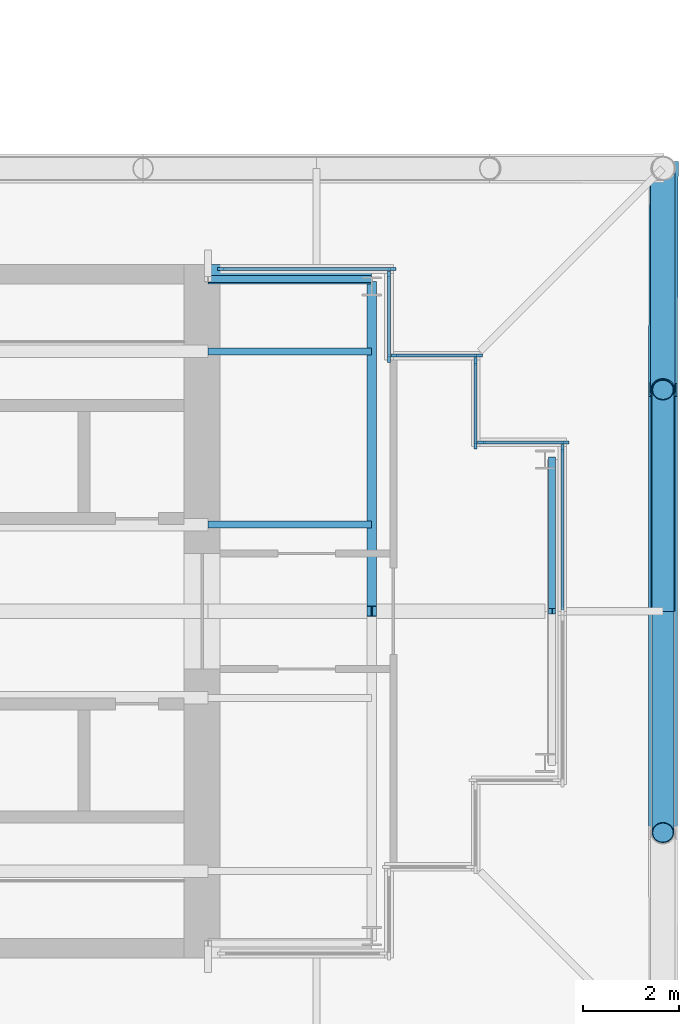
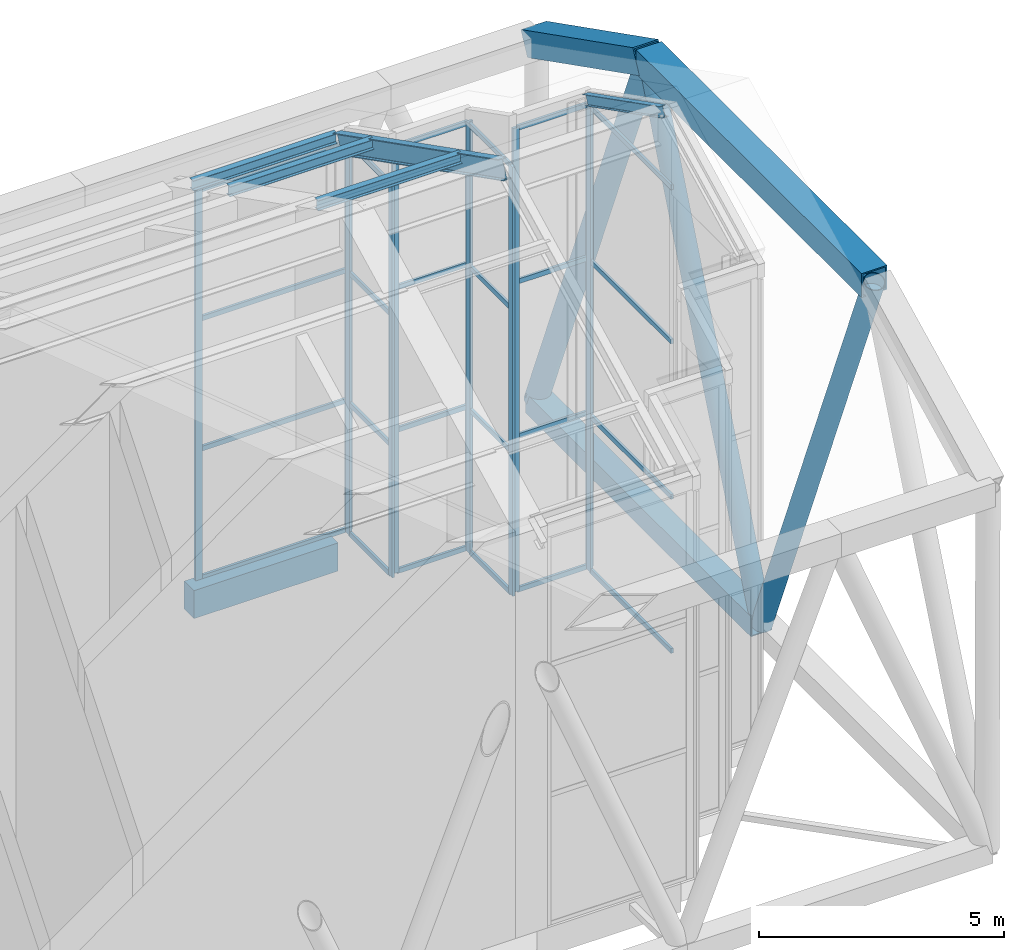
# One storey, part 11 of 25: 41 members, 6 beams, 6 elements without a shape of their own.
"""IFC4 building model written with IfcOpenShell, lengths in metres."""

from ifc_helpers import new_model, si_unit, direction, frame, origin, origin_2d, place, context, subcontext, project, spatial, rectangle, hollow_rectangle, hollow_circle, i_section, extrude, material, material_profile, profile_set, type_object, element, aggregate, save


model = new_model("IFC4")

# Units and contexts
model_context = context("Model", 3, precision=1e-05, world=origin(), true_north=direction((0.0, 1.0)))
body_context = subcontext(model_context, "Body", "Model", "MODEL_VIEW")
ifc_project = project(units=[si_unit("LENGTHUNIT", "METRE"), si_unit("AREAUNIT", "SQUARE_METRE"), si_unit("VOLUMEUNIT", "CUBIC_METRE"), si_unit("PLANEANGLEUNIT", "RADIAN"), si_unit("MASSUNIT", "GRAM", prefix="KILO")], contexts=[model_context])

# Site, building, storey
site_placement = place(None, origin())
site = spatial("IfcSite", under=ifc_project, at=site_placement, CompositionType="ELEMENT")
building_placement = place(site_placement, origin())
building = spatial("IfcBuilding", under=site, at=building_placement, Name="Fustian Cross Tower", CompositionType="ELEMENT")
storey_placement = place(building_placement, frame((0.0, 0.0, 247.5)))
storey = spatial("IfcBuildingStorey", under=building, at=storey_placement, Name="L77", CompositionType="ELEMENT", Elevation=247.5)

# Curtain wall, member
ifc_material_1 = material(Name="Glass", Category="glass")
curtain_wall_type = type_object("IfcCurtainWallType", Name="CW6 CURTAIN WALL", PredefinedType="NOTDEFINED", material=ifc_material_1)
curtain_wall_1_placement = place(storey_placement, origin())
curtain_wall_1 = element("IfcCurtainWall", 1, at=curtain_wall_1_placement, inside=storey, type_object=curtain_wall_type, Name="Curtain wall CW6", PredefinedType="NOTDEFINED")
ifc_material_2 = material(Name="Aluminium alloy 6063", Category="aluminium")
ifc_material_profile_1 = material_profile(ifc_material_2, rectangle(XDim=0.06005859375, YDim=0.159912109375, at=origin_2d()), Name="CW6 MULLION 60x160")
ifc_profile_set_1 = profile_set([ifc_material_profile_1], Name="Aluminium alloy 6063")
member_type_1 = type_object("IfcMemberType", Name="CW6 MULLION 60x160", PredefinedType="MULLION", material=ifc_profile_set_1)
member_1_placement = place(storey_placement, frame((28.7099609375, 3.389892578125, 0.0), z_axis=(0.0, 0.0, 1.0), x_axis=(-1.0, 0.0, 0.0)))
member_1 = element("IfcMember", 2, at=member_1_placement, type_object=member_type_1, Name="CW6 mullion 2", PredefinedType="MULLION", context=body_context, shape_type="SweptSolid", body=[
    extrude(rectangle(XDim=0.06005859375, YDim=0.159912109375, at=origin_2d()), origin(), (0.0, 0.0, 1.0), 11.6083984375),
])

# Curtain wall, members
curtain_wall_2_placement = place(storey_placement, origin())
curtain_wall_2 = element("IfcCurtainWall", 3, at=curtain_wall_2_placement, inside=storey, type_object=curtain_wall_type, Name="Curtain wall CW6", PredefinedType="NOTDEFINED")
member_2_placement = place(storey_placement, frame((28.77001953125, 3.510009765625, 0.0), z_axis=(0.0, 0.0, 1.0), x_axis=(0.0, -1.0, 0.0)))
member_2 = element("IfcMember", 4, at=member_2_placement, type_object=member_type_1, Name="CW6 mullion 1", PredefinedType="MULLION", context=body_context, shape_type="SweptSolid", body=[
    extrude(rectangle(XDim=0.06005859375, YDim=0.159912109375, at=origin_2d()), origin(), (0.0, 0.0, 1.0), 11.5625),
])
member_3_placement = place(storey_placement, frame((27.030029296875, 3.510009765625, 0.0), z_axis=(0.0, 0.0, 1.0), x_axis=(0.0, -1.0, 0.0)))
member_3 = element("IfcMember", 5, at=member_3_placement, type_object=member_type_1, Name="CW6 mullion 2", PredefinedType="MULLION", context=body_context, shape_type="SweptSolid", body=[
    extrude(rectangle(XDim=0.06005859375, YDim=0.159912109375, at=origin_2d()), origin(), (0.0, 0.0, 1.0), 11.5625),
])

curtain_wall_3_placement = place(storey_placement, origin())
curtain_wall_3 = element("IfcCurtainWall", 6, at=curtain_wall_3_placement, inside=storey, type_object=curtain_wall_type, Name="Curtain wall CW6", PredefinedType="NOTDEFINED")
member_4_placement = place(storey_placement, frame((26.909912109375, 3.449951171875, 0.0), z_axis=(0.0, 0.0, 1.0), x_axis=(-1.0, 0.0, 0.0)))
member_4 = element("IfcMember", 7, at=member_4_placement, type_object=member_type_1, Name="CW6 mullion 1", PredefinedType="MULLION", context=body_context, shape_type="SweptSolid", body=[
    extrude(rectangle(XDim=0.06005859375, YDim=0.159912109375, at=origin_2d()), origin(), (0.0, 0.0, 1.0), 10.691650390625),
])
member_5_placement = place(storey_placement, frame((26.909912109375, 5.18994140625, 0.0), z_axis=(0.0, 0.0, 1.0), x_axis=(-1.0, 0.0, 0.0)))
member_5 = element("IfcMember", 8, at=member_5_placement, type_object=member_type_1, Name="CW6 mullion 2", PredefinedType="MULLION", context=body_context, shape_type="SweptSolid", body=[
    extrude(rectangle(XDim=0.06005859375, YDim=0.159912109375, at=origin_2d()), origin(), (0.0, 0.0, 1.0), 10.691650390625),
])

curtain_wall_4_placement = place(storey_placement, origin())
curtain_wall_4 = element("IfcCurtainWall", 9, at=curtain_wall_4_placement, inside=storey, type_object=curtain_wall_type, Name="Curtain wall CW6", PredefinedType="NOTDEFINED")
member_6_placement = place(storey_placement, frame((26.969970703125, 5.31005859375, 0.0), z_axis=(0.0, 0.0, 1.0), x_axis=(0.0, -1.0, 0.0)))
member_6 = element("IfcMember", 10, at=member_6_placement, type_object=member_type_1, Name="CW6 mullion 1", PredefinedType="MULLION", context=body_context, shape_type="SweptSolid", body=[
    extrude(rectangle(XDim=0.06005859375, YDim=0.159912109375, at=origin_2d()), origin(), (0.0, 0.0, 1.0), 10.645751953125),
])
member_7_placement = place(storey_placement, frame((25.22998046875, 5.31005859375, 0.0), z_axis=(0.0, 0.0, 1.0), x_axis=(0.0, -1.0, 0.0)))
member_7 = element("IfcMember", 11, at=member_7_placement, type_object=member_type_1, Name="CW6 mullion 2", PredefinedType="MULLION", context=body_context, shape_type="SweptSolid", body=[
    extrude(rectangle(XDim=0.06005859375, YDim=0.159912109375, at=origin_2d()), origin(), (0.0, 0.0, 1.0), 10.645751953125),
])

curtain_wall_5_placement = place(storey_placement, origin())
curtain_wall_5 = element("IfcCurtainWall", 12, at=curtain_wall_5_placement, inside=storey, type_object=curtain_wall_type, Name="Curtain wall CW6", PredefinedType="NOTDEFINED")
member_8_placement = place(storey_placement, frame((25.110107421875, 5.25, 0.0), z_axis=(0.0, 0.0, 1.0), x_axis=(-1.0, 0.0, 0.0)))
member_8 = element("IfcMember", 13, at=member_8_placement, type_object=member_type_1, Name="CW6 mullion 1", PredefinedType="MULLION", context=body_context, shape_type="SweptSolid", body=[
    extrude(rectangle(XDim=0.06005859375, YDim=0.159912109375, at=origin_2d()), origin(), (0.0, 0.0, 1.0), 9.77490234375),
])
member_9_placement = place(storey_placement, frame((25.110107421875, 6.989990234375, 0.0), z_axis=(0.0, 0.0, 1.0), x_axis=(-1.0, 0.0, 0.0)))
member_9 = element("IfcMember", 14, at=member_9_placement, type_object=member_type_1, Name="CW6 mullion 2", PredefinedType="MULLION", context=body_context, shape_type="SweptSolid", body=[
    extrude(rectangle(XDim=0.06005859375, YDim=0.159912109375, at=origin_2d()), origin(), (0.0, 0.0, 1.0), 9.77490234375),
])

curtain_wall_6_placement = place(storey_placement, origin())
curtain_wall_6 = element("IfcCurtainWall", 15, at=curtain_wall_6_placement, inside=storey, type_object=curtain_wall_type, Name="Curtain wall CW6", PredefinedType="NOTDEFINED")
member_10_placement = place(storey_placement, frame((25.169921875, 7.110107421875, 0.0), z_axis=(0.0, 0.0, 1.0), x_axis=(0.0, -1.0, 0.0)))
member_10 = element("IfcMember", 16, at=member_10_placement, type_object=member_type_1, Name="CW6 mullion 1", PredefinedType="MULLION", context=body_context, shape_type="SweptSolid", body=[
    extrude(rectangle(XDim=0.06005859375, YDim=0.159912109375, at=origin_2d()), origin(), (0.0, 0.0, 1.0), 9.729248046875),
])
member_11_placement = place(storey_placement, frame((21.6298828125, 7.110107421875, 0.0), z_axis=(0.0, 0.0, 1.0), x_axis=(0.0, -1.0, 0.0)))
member_11 = element("IfcMember", 17, at=member_11_placement, type_object=member_type_1, Name="CW6 mullion 2", PredefinedType="MULLION", context=body_context, shape_type="SweptSolid", body=[
    extrude(rectangle(XDim=0.06005859375, YDim=0.159912109375, at=origin_2d()), origin(), (0.0, 0.0, 1.0), 9.729248046875),
])

# Member
ifc_material_3 = material(Name="Aluminium alloy 6063", Category="aluminium")
ifc_material_profile_2 = material_profile(ifc_material_3, rectangle(XDim=0.06005859375, YDim=0.1201171875, at=origin_2d()), Name="CW6 TRANSOM 60x120")
ifc_profile_set_2 = profile_set([ifc_material_profile_2], Name="Aluminium alloy 6063")
member_type_2 = type_object("IfcMemberType", Name="CW6 TRANSOM 60x120", PredefinedType="USERDEFINED", material=ifc_profile_set_2)
member_12_placement = place(storey_placement, frame((28.7099609375, 0.030029296875, 0.030029296875), z_axis=(0.0, 1.0, 0.0), x_axis=(-1.0, 0.0, 0.0)))
member_12 = element("IfcMember", 18, at=member_12_placement, type_object=member_type_2, Name="CW6 transom 1.1", ObjectType="TRANSOM", PredefinedType="USERDEFINED", context=body_context, shape_type="SweptSolid", body=[
    extrude(rectangle(XDim=0.06005859375, YDim=0.1201171875, at=origin_2d()), origin(), (0.0, 0.0, 1.0), 3.330078125),
])

member_13_placement = place(storey_placement, frame((28.7099609375, 0.030029296875, 3.869384765625), z_axis=(0.0, 1.0, 0.0), x_axis=(-1.0, 0.0, 0.0)))
member_13 = element("IfcMember", 19, at=member_13_placement, type_object=member_type_2, Name="CW6 transom 1.2", ObjectType="TRANSOM", PredefinedType="USERDEFINED", context=body_context, shape_type="SweptSolid", body=[
    extrude(rectangle(XDim=0.06005859375, YDim=0.1201171875, at=origin_2d()), origin(), (0.0, 0.0, 1.0), 3.330078125),
])

member_14_placement = place(storey_placement, frame((28.7099609375, 0.030029296875, 7.73876953125), z_axis=(0.0, 1.0, 0.0), x_axis=(-1.0, 0.0, 0.0)))
member_14 = element("IfcMember", 20, at=member_14_placement, type_object=member_type_2, Name="CW6 transom 1.3", ObjectType="TRANSOM", PredefinedType="USERDEFINED", context=body_context, shape_type="SweptSolid", body=[
    extrude(rectangle(XDim=0.06005859375, YDim=0.1201171875, at=origin_2d()), origin(), (0.0, 0.0, 1.0), 3.330078125),
])

member_15_placement = place(storey_placement, frame((28.7099609375, 0.030029296875, 11.578369140625), z_axis=(0.0, 1.0, 0.0), x_axis=(-1.0, 0.0, 0.0)))
member_15 = element("IfcMember", 21, at=member_15_placement, type_object=member_type_2, Name="CW6 transom 1.4", ObjectType="TRANSOM", PredefinedType="USERDEFINED", context=body_context, shape_type="SweptSolid", body=[
    extrude(rectangle(XDim=0.06005859375, YDim=0.1201171875, at=origin_2d()), origin(), (0.0, 0.0, 1.0), 3.330078125),
])

aggregate(curtain_wall_1, [member_1, member_12, member_13, member_14, member_15])

member_16_placement = place(storey_placement, frame((28.739990234375, 3.510009765625, 0.030029296875), z_axis=(-1.0, 0.0, 0.0), x_axis=(0.0, -1.0, 0.0)))
member_16 = element("IfcMember", 22, at=member_16_placement, type_object=member_type_2, Name="CW6 transom 1.1", ObjectType="TRANSOM", PredefinedType="USERDEFINED", context=body_context, shape_type="SweptSolid", body=[
    extrude(rectangle(XDim=0.06005859375, YDim=0.1201171875, at=origin_2d()), origin(), (0.0, 0.0, 1.0), 1.679931640625),
])

member_17_placement = place(storey_placement, frame((28.739990234375, 3.510009765625, 3.854248046875), z_axis=(-1.0, 0.0, 0.0), x_axis=(0.0, -1.0, 0.0)))
member_17 = element("IfcMember", 23, at=member_17_placement, type_object=member_type_2, Name="CW6 transom 1.2", ObjectType="TRANSOM", PredefinedType="USERDEFINED", context=body_context, shape_type="SweptSolid", body=[
    extrude(rectangle(XDim=0.06005859375, YDim=0.1201171875, at=origin_2d()), origin(), (0.0, 0.0, 1.0), 1.679931640625),
])

member_18_placement = place(storey_placement, frame((28.739990234375, 3.510009765625, 7.708251953125), z_axis=(-1.0, 0.0, 0.0), x_axis=(0.0, -1.0, 0.0)))
member_18 = element("IfcMember", 24, at=member_18_placement, type_object=member_type_2, Name="CW6 transom 1.3", ObjectType="TRANSOM", PredefinedType="USERDEFINED", context=body_context, shape_type="SweptSolid", body=[
    extrude(rectangle(XDim=0.06005859375, YDim=0.1201171875, at=origin_2d()), origin(), (0.0, 0.0, 1.0), 1.679931640625),
])

member_19_placement = place(storey_placement, frame((28.739990234375, 3.510009765625, 11.532470703125), z_axis=(-1.0, 0.0, 0.0), x_axis=(0.0, -1.0, 0.0)))
member_19 = element("IfcMember", 25, at=member_19_placement, type_object=member_type_2, Name="CW6 transom 1.4", ObjectType="TRANSOM", PredefinedType="USERDEFINED", context=body_context, shape_type="SweptSolid", body=[
    extrude(rectangle(XDim=0.06005859375, YDim=0.1201171875, at=origin_2d()), origin(), (0.0, 0.0, 1.0), 1.679931640625),
])

aggregate(curtain_wall_2, [member_2, member_3, member_16, member_17, member_18, member_19])

member_20_placement = place(storey_placement, frame((26.909912109375, 3.47998046875, 0.030029296875), z_axis=(0.0, 1.0, 0.0), x_axis=(-1.0, 0.0, 0.0)))
member_20 = element("IfcMember", 26, at=member_20_placement, type_object=member_type_2, Name="CW6 transom 1.1", ObjectType="TRANSOM", PredefinedType="USERDEFINED", context=body_context, shape_type="SweptSolid", body=[
    extrude(rectangle(XDim=0.06005859375, YDim=0.1201171875, at=origin_2d()), origin(), (0.0, 0.0, 1.0), 1.679931640625),
])

member_21_placement = place(storey_placement, frame((26.909912109375, 3.47998046875, 3.56396484375), z_axis=(0.0, 1.0, 0.0), x_axis=(-1.0, 0.0, 0.0)))
member_21 = element("IfcMember", 27, at=member_21_placement, type_object=member_type_2, Name="CW6 transom 1.2", ObjectType="TRANSOM", PredefinedType="USERDEFINED", context=body_context, shape_type="SweptSolid", body=[
    extrude(rectangle(XDim=0.06005859375, YDim=0.1201171875, at=origin_2d()), origin(), (0.0, 0.0, 1.0), 1.679931640625),
])

member_22_placement = place(storey_placement, frame((26.909912109375, 3.47998046875, 7.127685546875), z_axis=(0.0, 1.0, 0.0), x_axis=(-1.0, 0.0, 0.0)))
member_22 = element("IfcMember", 28, at=member_22_placement, type_object=member_type_2, Name="CW6 transom 1.3", ObjectType="TRANSOM", PredefinedType="USERDEFINED", context=body_context, shape_type="SweptSolid", body=[
    extrude(rectangle(XDim=0.06005859375, YDim=0.1201171875, at=origin_2d()), origin(), (0.0, 0.0, 1.0), 1.679931640625),
])

member_23_placement = place(storey_placement, frame((26.909912109375, 3.47998046875, 10.66162109375), z_axis=(0.0, 1.0, 0.0), x_axis=(-1.0, 0.0, 0.0)))
member_23 = element("IfcMember", 29, at=member_23_placement, type_object=member_type_2, Name="CW6 transom 1.4", ObjectType="TRANSOM", PredefinedType="USERDEFINED", context=body_context, shape_type="SweptSolid", body=[
    extrude(rectangle(XDim=0.06005859375, YDim=0.1201171875, at=origin_2d()), origin(), (0.0, 0.0, 1.0), 1.679931640625),
])

aggregate(curtain_wall_3, [member_4, member_5, member_20, member_21, member_22, member_23])

member_24_placement = place(storey_placement, frame((26.93994140625, 5.31005859375, 0.030029296875), z_axis=(-1.0, 0.0, 0.0), x_axis=(0.0, -1.0, 0.0)))
member_24 = element("IfcMember", 30, at=member_24_placement, type_object=member_type_2, Name="CW6 transom 1.1", ObjectType="TRANSOM", PredefinedType="USERDEFINED", context=body_context, shape_type="SweptSolid", body=[
    extrude(rectangle(XDim=0.06005859375, YDim=0.1201171875, at=origin_2d()), origin(), (0.0, 0.0, 1.0), 1.679931640625),
])

member_25_placement = place(storey_placement, frame((26.93994140625, 5.31005859375, 3.548583984375), z_axis=(-1.0, 0.0, 0.0), x_axis=(0.0, -1.0, 0.0)))
member_25 = element("IfcMember", 31, at=member_25_placement, type_object=member_type_2, Name="CW6 transom 1.2", ObjectType="TRANSOM", PredefinedType="USERDEFINED", context=body_context, shape_type="SweptSolid", body=[
    extrude(rectangle(XDim=0.06005859375, YDim=0.1201171875, at=origin_2d()), origin(), (0.0, 0.0, 1.0), 1.679931640625),
])

member_26_placement = place(storey_placement, frame((26.93994140625, 5.31005859375, 7.09716796875), z_axis=(-1.0, 0.0, 0.0), x_axis=(0.0, -1.0, 0.0)))
member_26 = element("IfcMember", 32, at=member_26_placement, type_object=member_type_2, Name="CW6 transom 1.3", ObjectType="TRANSOM", PredefinedType="USERDEFINED", context=body_context, shape_type="SweptSolid", body=[
    extrude(rectangle(XDim=0.06005859375, YDim=0.1201171875, at=origin_2d()), origin(), (0.0, 0.0, 1.0), 1.679931640625),
])

member_27_placement = place(storey_placement, frame((26.93994140625, 5.31005859375, 10.61572265625), z_axis=(-1.0, 0.0, 0.0), x_axis=(0.0, -1.0, 0.0)))
member_27 = element("IfcMember", 33, at=member_27_placement, type_object=member_type_2, Name="CW6 transom 1.4", ObjectType="TRANSOM", PredefinedType="USERDEFINED", context=body_context, shape_type="SweptSolid", body=[
    extrude(rectangle(XDim=0.06005859375, YDim=0.1201171875, at=origin_2d()), origin(), (0.0, 0.0, 1.0), 1.679931640625),
])

aggregate(curtain_wall_4, [member_6, member_7, member_24, member_25, member_26, member_27])

member_28_placement = place(storey_placement, frame((25.110107421875, 5.280029296875, 0.030029296875), z_axis=(0.0, 1.0, 0.0), x_axis=(-1.0, 0.0, 0.0)))
member_28 = element("IfcMember", 34, at=member_28_placement, type_object=member_type_2, Name="CW6 transom 1.1", ObjectType="TRANSOM", PredefinedType="USERDEFINED", context=body_context, shape_type="SweptSolid", body=[
    extrude(rectangle(XDim=0.06005859375, YDim=0.1201171875, at=origin_2d()), origin(), (0.0, 0.0, 1.0), 1.679931640625),
])

member_29_placement = place(storey_placement, frame((25.110107421875, 5.280029296875, 3.25830078125), z_axis=(0.0, 1.0, 0.0), x_axis=(-1.0, 0.0, 0.0)))
member_29 = element("IfcMember", 35, at=member_29_placement, type_object=member_type_2, Name="CW6 transom 1.2", ObjectType="TRANSOM", PredefinedType="USERDEFINED", context=body_context, shape_type="SweptSolid", body=[
    extrude(rectangle(XDim=0.06005859375, YDim=0.1201171875, at=origin_2d()), origin(), (0.0, 0.0, 1.0), 1.679931640625),
])

member_30_placement = place(storey_placement, frame((25.110107421875, 5.280029296875, 6.5166015625), z_axis=(0.0, 1.0, 0.0), x_axis=(-1.0, 0.0, 0.0)))
member_30 = element("IfcMember", 36, at=member_30_placement, type_object=member_type_2, Name="CW6 transom 1.3", ObjectType="TRANSOM", PredefinedType="USERDEFINED", context=body_context, shape_type="SweptSolid", body=[
    extrude(rectangle(XDim=0.06005859375, YDim=0.1201171875, at=origin_2d()), origin(), (0.0, 0.0, 1.0), 1.679931640625),
])

member_31_placement = place(storey_placement, frame((25.110107421875, 5.280029296875, 9.7451171875), z_axis=(0.0, 1.0, 0.0), x_axis=(-1.0, 0.0, 0.0)))
member_31 = element("IfcMember", 37, at=member_31_placement, type_object=member_type_2, Name="CW6 transom 1.4", ObjectType="TRANSOM", PredefinedType="USERDEFINED", context=body_context, shape_type="SweptSolid", body=[
    extrude(rectangle(XDim=0.06005859375, YDim=0.1201171875, at=origin_2d()), origin(), (0.0, 0.0, 1.0), 1.679931640625),
])

aggregate(curtain_wall_5, [member_8, member_9, member_28, member_29, member_30, member_31])

member_32_placement = place(storey_placement, frame((25.139892578125, 7.110107421875, 0.030029296875), z_axis=(-1.0, 0.0, 0.0), x_axis=(0.0, -1.0, 0.0)))
member_32 = element("IfcMember", 38, at=member_32_placement, type_object=member_type_2, Name="CW6 transom 1.1", ObjectType="TRANSOM", PredefinedType="USERDEFINED", context=body_context, shape_type="SweptSolid", body=[
    extrude(rectangle(XDim=0.06005859375, YDim=0.1201171875, at=origin_2d()), origin(), (0.0, 0.0, 1.0), 3.47998046875),
])

member_33_placement = place(storey_placement, frame((25.139892578125, 7.110107421875, 3.2431640625), z_axis=(-1.0, 0.0, 0.0), x_axis=(0.0, -1.0, 0.0)))
member_33 = element("IfcMember", 39, at=member_33_placement, type_object=member_type_2, Name="CW6 transom 1.2", ObjectType="TRANSOM", PredefinedType="USERDEFINED", context=body_context, shape_type="SweptSolid", body=[
    extrude(rectangle(XDim=0.06005859375, YDim=0.1201171875, at=origin_2d()), origin(), (0.0, 0.0, 1.0), 3.47998046875),
])

member_34_placement = place(storey_placement, frame((25.139892578125, 7.110107421875, 6.486083984375), z_axis=(-1.0, 0.0, 0.0), x_axis=(0.0, -1.0, 0.0)))
member_34 = element("IfcMember", 40, at=member_34_placement, type_object=member_type_2, Name="CW6 transom 1.3", ObjectType="TRANSOM", PredefinedType="USERDEFINED", context=body_context, shape_type="SweptSolid", body=[
    extrude(rectangle(XDim=0.06005859375, YDim=0.1201171875, at=origin_2d()), origin(), (0.0, 0.0, 1.0), 3.47998046875),
])

member_35_placement = place(storey_placement, frame((25.139892578125, 7.110107421875, 9.69921875), z_axis=(-1.0, 0.0, 0.0), x_axis=(0.0, -1.0, 0.0)))
member_35 = element("IfcMember", 41, at=member_35_placement, type_object=member_type_2, Name="CW6 transom 1.4", ObjectType="TRANSOM", PredefinedType="USERDEFINED", context=body_context, shape_type="SweptSolid", body=[
    extrude(rectangle(XDim=0.06005859375, YDim=0.1201171875, at=origin_2d()), origin(), (0.0, 0.0, 1.0), 3.47998046875),
])

aggregate(curtain_wall_6, [member_10, member_11, member_32, member_33, member_34, member_35])

# Members
ifc_material_4 = material(Name="Steel S355", Category="steel")
ifc_material_profile_3 = material_profile(ifc_material_4, hollow_circle(Radius=0.228515625, WallThickness=0.01611328125, at=origin_2d()), Name="CHS 457x16")
ifc_profile_set_3 = profile_set([ifc_material_profile_3], Name="Steel S355")
member_type_3 = type_object("IfcMemberType", Name="DIAGRID DIAGONAL CHS 457x16", PredefinedType="BRACE", material=ifc_profile_set_3)
for number, where, z_axis, x_axis, name in (
    (42, (30.800048828125, 0.0, 0.0), (0.0, -0.376832449182, 0.926281439544), (1.0, 0.0, 0.0), "Diagrid diagonal E-end 02"),
    (43, (30.800048828125, 0.0, 0.0), (0.0, 0.376832449182, 0.926281439544), (-1.0, 0.0, 0.0), "Diagrid diagonal E-end 03"),
):
    element("IfcMember", number, at=place(storey_placement, frame(where, z_axis=z_axis, x_axis=x_axis)), inside=storey, type_object=member_type_3, Name=name, PredefinedType="BRACE", context=body_context, shape_type="SweptSolid", body=[
        extrude(hollow_circle(Radius=0.228515625, WallThickness=0.01611328125, at=origin_2d()), origin(), (0.0, 0.0, 1.0), 12.207275390625),
    ])
ifc_material_5 = material(Name="Steel S355", Category="steel")
ifc_material_profile_4 = material_profile(ifc_material_5, hollow_circle(Radius=0.25390625, WallThickness=0.02001953125, at=origin_2d()), Name="CHS 508x20")
ifc_profile_set_4 = profile_set([ifc_material_profile_4], Name="Steel S355")
member_type_4 = type_object("IfcMemberType", Name="DIAGRID DIAGONAL CHS 508x20", PredefinedType="BRACE", material=ifc_profile_set_4)
member_36_placement = place(storey_placement, frame((30.800048828125, 9.199951171875, 0.0), z_axis=(0.0, -0.376815289386, 0.926288420356), x_axis=(1.0, 0.0, 0.0)))
element("IfcMember", 44, at=member_36_placement, inside=storey, type_object=member_type_4, Name="Diagrid diagonal E-end 04", PredefinedType="BRACE", context=body_context, shape_type="SweptSolid", body=[
    extrude(hollow_circle(Radius=0.25390625, WallThickness=0.02001953125, at=origin_2d()), origin(), (0.0, 0.0, 1.0), 12.207275390625),
])
ifc_material_6 = material(Name="Steel S355", Category="steel")
ifc_material_profile_5 = material_profile(ifc_material_6, hollow_rectangle(XDim=0.5, YDim=0.5, WallThickness=0.02490234375, at=origin_2d()), Name="RHS 500x500x25")
ifc_profile_set_5 = profile_set([ifc_material_profile_5], Name="Steel S355")
member_type_5 = type_object("IfcMemberType", Name="DIAGRID RING RHS 500x500x25", PredefinedType="MEMBER", material=ifc_profile_set_5)
member_37_placement = place(storey_placement, frame((30.800048828125, 0.0, 0.0), z_axis=(0.0, 1.0, 0.0), x_axis=(-1.0, 0.0, 0.0)))
element("IfcMember", 45, at=member_37_placement, inside=storey, type_object=member_type_5, Name="Diagrid ring L77-01 L77-02", PredefinedType="MEMBER", context=body_context, shape_type="SweptSolid", body=[
    extrude(hollow_rectangle(XDim=0.5, YDim=0.5, WallThickness=0.02490234375, at=origin_2d()), origin(), (0.0, 0.0, 1.0), 9.199951171875),
])
ifc_material_7 = material(Name="Steel S355", Category="steel")
ifc_material_profile_6 = material_profile(ifc_material_7, hollow_rectangle(XDim=0.60009765625, YDim=0.60009765625, WallThickness=0.030029296875, at=origin_2d()), Name="RHS 600x600x30")
ifc_profile_set_6 = profile_set([ifc_material_profile_6], Name="Steel S355")
member_type_6 = type_object("IfcMemberType", Name="DIAGRID RING RHS 600x600x30", PredefinedType="MEMBER", material=ifc_profile_set_6)
member_38_placement = place(storey_placement, frame((30.800048828125, -4.60009765625, 11.307373046875), z_axis=(0.0, 1.0, 0.0), x_axis=(-1.0, 0.0, 0.0)))
element("IfcMember", 46, at=member_38_placement, inside=storey, type_object=member_type_6, Name="Diagrid ring TOP-41 TOP-01", PredefinedType="MEMBER", context=body_context, shape_type="SweptSolid", body=[
    extrude(hollow_rectangle(XDim=0.60009765625, YDim=0.60009765625, WallThickness=0.030029296875, at=origin_2d()), origin(), (0.0, 0.0, 1.0), 9.2001953125),
])
member_39_placement = place(storey_placement, frame((30.800048828125, 4.60009765625, 11.307373046875), z_axis=(0.003684377515, 0.891099767004, -0.453792497302), x_axis=(-0.999991452482, 0.004134605528, 0.0)))
element("IfcMember", 47, at=member_39_placement, inside=storey, type_object=member_type_6, Name="Diagrid ring TOP-01 TOP-02", PredefinedType="MEMBER", context=body_context, shape_type="SweptSolid", body=[
    extrude(hollow_rectangle(XDim=0.60009765625, YDim=0.60009765625, WallThickness=0.030029296875, at=origin_2d()), origin(), (0.0, 0.0, 1.0), 5.16845703125),
])

# Beams
ifc_material_8 = material(Name="Concrete C50/60", Category="concrete")
ifc_material_profile_7 = material_profile(ifc_material_8, rectangle(XDim=0.39990234375, YDim=0.699951171875, at=origin_2d()), Name="RC 400x700")
ifc_profile_set_7 = profile_set([ifc_material_profile_7], Name="Concrete C50/60")
beam_type_1 = type_object("IfcBeamType", Name="EDGE BEAM RC 400x700 C50/60", PredefinedType="SPANDREL", material=ifc_profile_set_7)
beam_1_placement = place(storey_placement, frame((24.75, 7.0, -0.35009765625), z_axis=(-1.0, 0.0, 0.0), x_axis=(0.0, -1.0, 0.0)))
element("IfcBeam", 48, at=beam_1_placement, inside=storey, type_object=beam_type_1, Name="EDGE BEAM L77-03", PredefinedType="SPANDREL", context=body_context, shape_type="SweptSolid", body=[
    extrude(rectangle(XDim=0.39990234375, YDim=0.699951171875, at=origin_2d()), origin(), (0.0, 0.0, 1.0), 3.39990234375),
])
ifc_material_9 = material(Name="Steel S355", Category="steel")
ifc_material_profile_8 = material_profile(ifc_material_9, i_section(OverallWidth=0.19287109375, OverallDepth=0.46728515625, WebThickness=0.011474609375, FlangeThickness=0.01953125, FilletRadius=0.01025390625, at=origin_2d()), Name="UB 457x191x98")
ifc_profile_set_8 = profile_set([ifc_material_profile_8], Name="Steel S355")
beam_type_2 = type_object("IfcBeamType", Name="ROOF RAFTER UB 457x191x98 S355", PredefinedType="BEAM", material=ifc_profile_set_8)
beam_2_placement = place(storey_placement, frame((24.75, 0.0, 13.43798828125), z_axis=(0.0, 0.891102454825, -0.453802176068), x_axis=(-1.0, 0.0, 0.0)))
element("IfcBeam", 49, at=beam_2_placement, inside=storey, type_object=beam_type_2, Name="ROOF BEAM 034", PredefinedType="BEAM", context=body_context, shape_type="SweptSolid", body=[
    extrude(i_section(OverallWidth=0.19287109375, OverallDepth=0.46728515625, WebThickness=0.011474609375, FlangeThickness=0.01953125, FilletRadius=0.01025390625, at=origin_2d()), origin(), (0.0, 0.0, 1.0), 7.574951171875),
])
ifc_material_10 = material(Name="Steel S355", Category="steel")
ifc_material_profile_9 = material_profile(ifc_material_10, i_section(OverallWidth=0.14599609375, OverallDepth=0.25146484375, WebThickness=0.006103515625, FlangeThickness=0.008544921875, FilletRadius=0.007568359375, at=origin_2d()), Name="UB 254x146x31")
ifc_profile_set_9 = profile_set([ifc_material_profile_9], Name="Steel S355")
beam_type_3 = type_object("IfcBeamType", Name="ROOF TRIMMER UB 254x146x31 S355", PredefinedType="BEAM", material=ifc_profile_set_9)
beam_3_placement = place(storey_placement, frame((28.5, 0.0, 13.558837890625), z_axis=(0.0, 0.891115385024, -0.453776784964), x_axis=(-1.0, 0.0, 0.0)))
element("IfcBeam", 50, at=beam_3_placement, inside=storey, type_object=beam_type_3, Name="ROOF BEAM 004", PredefinedType="BEAM", context=body_context, shape_type="SweptSolid", body=[
    extrude(i_section(OverallWidth=0.14599609375, OverallDepth=0.25146484375, WebThickness=0.006103515625, FlangeThickness=0.008544921875, FilletRadius=0.007568359375, at=origin_2d()), origin(), (0.0, 0.0, 1.0), 3.53466796875),
])
for number, where, z_axis, x_axis, name in (
    (51, (24.75, 6.89990234375, 10.060302734375), (-1.0, 0.0, 0.0), (0.0, -1.0, 0.0), "ROOF BEAM 005"),
    (52, (21.35009765625, 1.800048828125, 12.65771484375), (1.0, 0.0, 0.0), (0.0, 1.0, 0.0), "ROOF BEAM 050"),
    (53, (21.35009765625, 5.39990234375, 10.82421875), (1.0, 0.0, 0.0), (0.0, 1.0, 0.0), "ROOF BEAM 055"),
):
    element("IfcBeam", number, at=place(storey_placement, frame(where, z_axis=z_axis, x_axis=x_axis)), inside=storey, type_object=beam_type_3, Name=name, PredefinedType="BEAM", context=body_context, shape_type="SweptSolid", body=[
        extrude(i_section(OverallWidth=0.14599609375, OverallDepth=0.25146484375, WebThickness=0.006103515625, FlangeThickness=0.008544921875, FilletRadius=0.007568359375, at=origin_2d()), origin(), (0.0, 0.0, 1.0), 3.39990234375),
    ])

save(model, "model.ifc")
